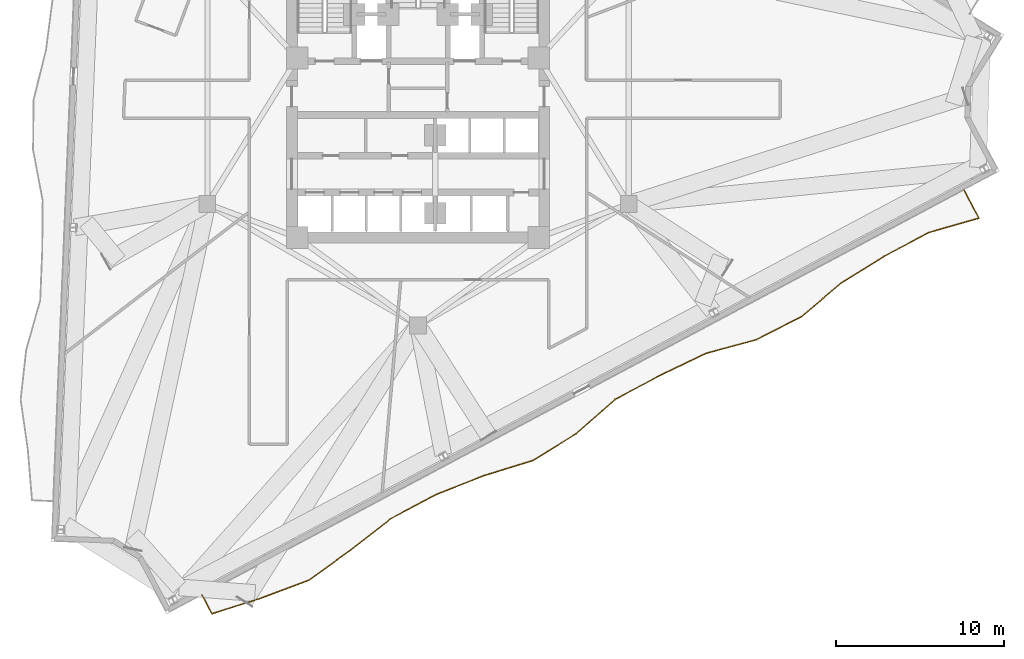
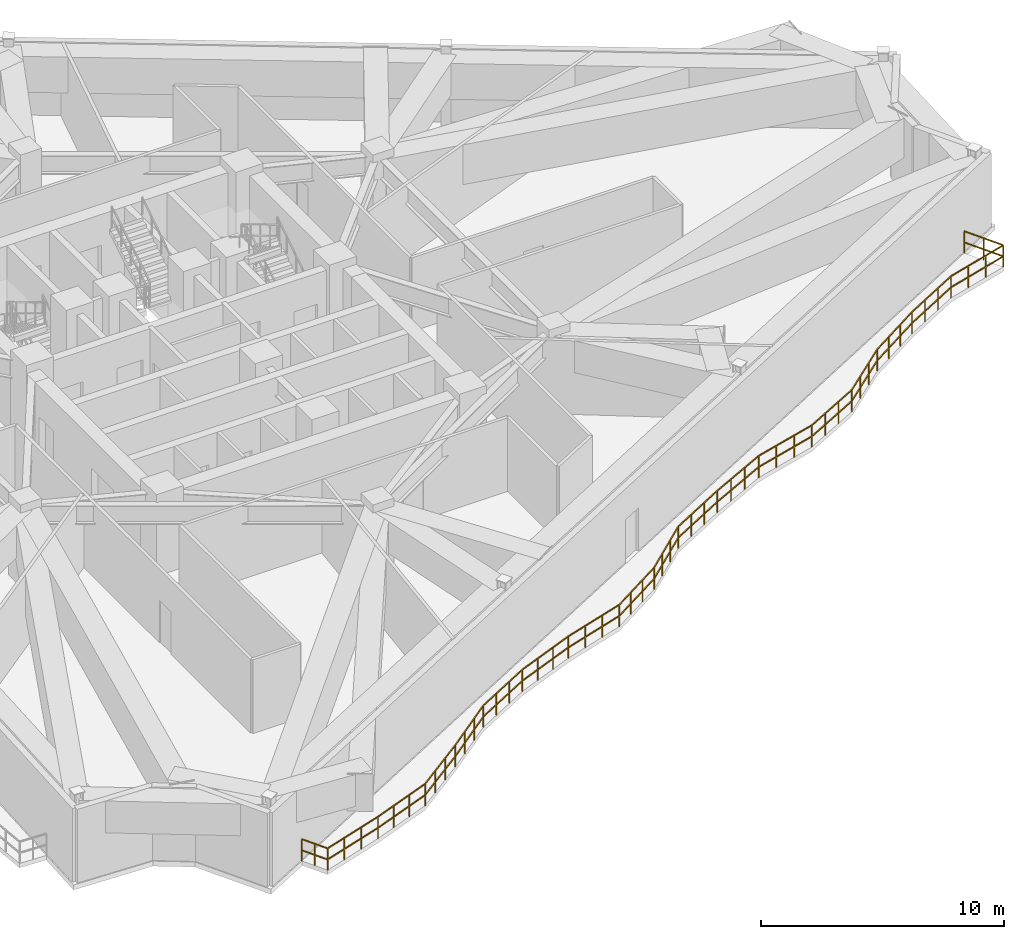
# One storey, part 11 of 14: 1 railing.
"""IFC4 building model written with IfcOpenShell, lengths in metres."""

from ifc_helpers import new_model, si_unit, direction, frame, origin, origin_2d, place, context, subcontext, project, spatial, rectangle, extrude, material, type_object, element, save


model = new_model("IFC4")

# Units and contexts
model_context = context("Model", 3, precision=1e-05, world=origin(), true_north=direction((0.0, 1.0)))
body_context = subcontext(model_context, "Body", "Model", "MODEL_VIEW")
ifc_project = project(units=[si_unit("LENGTHUNIT", "METRE"), si_unit("AREAUNIT", "SQUARE_METRE"), si_unit("VOLUMEUNIT", "CUBIC_METRE"), si_unit("PLANEANGLEUNIT", "RADIAN"), si_unit("MASSUNIT", "GRAM", prefix="KILO")], contexts=[model_context])

# Site, building, storey
site_placement = place(None, origin())
site = spatial("IfcSite", under=ifc_project, at=site_placement, CompositionType="ELEMENT")
building_placement = place(site_placement, origin())
building = spatial("IfcBuilding", under=site, at=building_placement, Name="Apsidion Concourse Tower", CompositionType="ELEMENT")
storey_placement = place(building_placement, frame((0.0, 0.0, 190.10009765625)))
storey = spatial("IfcBuildingStorey", under=building, at=storey_placement, Name="L44", CompositionType="ELEMENT", Elevation=190.10009765625)

# Railing
ifc_material = material(Name="Brushed stainless steel 316", Category="steel")
railing_type = type_object("IfcRailingType", Name="RL-BAL-1120", PredefinedType="BALUSTRADE", material=ifc_material)
railing_placement = place(storey_placement, frame((32.549560546875, -6.426025390625, 0.0)))
element("IfcRailing", 1, at=railing_placement, inside=storey, type_object=railing_type, Name="L44 Face 2 Rippling Balcony Balustrade", PredefinedType="BALUSTRADE", context=body_context, shape_type="SweptSolid", body=[
    extrude(rectangle(XDim=0.048095703125, YDim=0.048095703125, at=origin_2d()), frame((0.0, 0.0, 1.09619140625), z_axis=(0.469487213545, -0.882939271025, 0.0), x_axis=(0.882939271025, 0.469487213545, 0.0)), (0.0, 0.0, 1.0), 1.899658203125),
    extrude(rectangle(XDim=0.048095703125, YDim=0.048095703125, at=origin_2d()), frame((0.0, 0.0, 0.5361328125), z_axis=(0.469487213545, -0.882939271025, 0.0), x_axis=(0.882939271025, 0.469487213545, 0.0)), (0.0, 0.0, 1.0), 1.899658203125),
    extrude(rectangle(XDim=0.048095703125, YDim=0.048095703125, at=origin_2d()), frame((0.891845703125, -1.67724609375, 1.09619140625), z_axis=(-0.961815098371, -0.273700048495, 0.0), x_axis=(0.273700048495, -0.961815098371, 0.0)), (0.0, 0.0, 1.0), 3.09521484375),
    extrude(rectangle(XDim=0.048095703125, YDim=0.048095703125, at=origin_2d()), frame((0.891845703125, -1.67724609375, 0.5361328125), z_axis=(-0.961815098371, -0.273700048495, 0.0), x_axis=(0.273700048495, -0.961815098371, 0.0)), (0.0, 0.0, 1.0), 3.09521484375),
    extrude(rectangle(XDim=0.048095703125, YDim=0.048095703125, at=origin_2d()), frame((-2.085205078125, -2.5244140625, 1.09619140625), z_axis=(-0.88294852993, -0.469469800408, 0.0), x_axis=(0.469469800408, -0.88294852993, 0.0)), (0.0, 0.0, 1.0), 3.026123046875),
    extrude(rectangle(XDim=0.048095703125, YDim=0.048095703125, at=origin_2d()), frame((-2.085205078125, -2.5244140625, 0.5361328125), z_axis=(-0.88294852993, -0.469469800408, 0.0), x_axis=(0.469469800408, -0.88294852993, 0.0)), (0.0, 0.0, 1.0), 3.026123046875),
    extrude(rectangle(XDim=0.048095703125, YDim=0.048095703125, at=origin_2d()), frame((-4.757080078125, -3.945068359375, 1.09619140625), z_axis=(-0.848860794643, -0.528616450101, 0.0), x_axis=(0.528616450101, -0.848860794643, 0.0)), (0.0, 0.0, 1.0), 3.033447265625),
    extrude(rectangle(XDim=0.048095703125, YDim=0.048095703125, at=origin_2d()), frame((-4.757080078125, -3.945068359375, 0.5361328125), z_axis=(-0.848860794643, -0.528616450101, 0.0), x_axis=(0.528616450101, -0.848860794643, 0.0)), (0.0, 0.0, 1.0), 3.033447265625),
    extrude(rectangle(XDim=0.048095703125, YDim=0.048095703125, at=origin_2d()), frame((-7.33203125, -5.548583984375, 1.09619140625), z_axis=(-0.763586637243, -0.645705387483, 0.0), x_axis=(0.645705387483, -0.763586637243, 0.0)), (0.0, 0.0, 1.0), 3.09619140625),
    extrude(rectangle(XDim=0.048095703125, YDim=0.048095703125, at=origin_2d()), frame((-7.33203125, -5.548583984375, 0.5361328125), z_axis=(-0.763586637243, -0.645705387483, 0.0), x_axis=(0.645705387483, -0.763586637243, 0.0)), (0.0, 0.0, 1.0), 3.09619140625),
    extrude(rectangle(XDim=0.048095703125, YDim=0.048095703125, at=origin_2d()), frame((-9.6962890625, -7.5478515625, 1.09619140625), z_axis=(-0.890489154646, -0.455004467514, 0.0), x_axis=(0.455004467514, -0.890489154646, 0.0)), (0.0, 0.0, 1.0), 3.02685546875),
    extrude(rectangle(XDim=0.048095703125, YDim=0.048095703125, at=origin_2d()), frame((-9.6962890625, -7.5478515625, 0.5361328125), z_axis=(-0.890489154646, -0.455004467514, 0.0), x_axis=(0.455004467514, -0.890489154646, 0.0)), (0.0, 0.0, 1.0), 3.02685546875),
    extrude(rectangle(XDim=0.048095703125, YDim=0.048095703125, at=origin_2d()), frame((-12.3916015625, -8.925048828125, 1.09619140625), z_axis=(-0.965394438185, -0.260794130918, 0.0), x_axis=(0.260794130918, -0.965394438185, 0.0)), (0.0, 0.0, 1.0), 3.104248046875),
    extrude(rectangle(XDim=0.048095703125, YDim=0.048095703125, at=origin_2d()), frame((-12.3916015625, -8.925048828125, 0.5361328125), z_axis=(-0.965394438185, -0.260794130918, 0.0), x_axis=(0.260794130918, -0.965394438185, 0.0)), (0.0, 0.0, 1.0), 3.104248046875),
    extrude(rectangle(XDim=0.048095703125, YDim=0.048095703125, at=origin_2d()), frame((-15.388427734375, -9.734619140625, 1.09619140625), z_axis=(-0.900939808812, -0.433944075773, 0.0), x_axis=(0.433944075773, -0.900939808812, 0.0)), (0.0, 0.0, 1.0), 3.028564453125),
    extrude(rectangle(XDim=0.048095703125, YDim=0.048095703125, at=origin_2d()), frame((-15.388427734375, -9.734619140625, 0.5361328125), z_axis=(-0.900939808812, -0.433944075773, 0.0), x_axis=(0.433944075773, -0.900939808812, 0.0)), (0.0, 0.0, 1.0), 3.028564453125),
    extrude(rectangle(XDim=0.048095703125, YDim=0.048095703125, at=origin_2d()), frame((-18.116943359375, -11.048828125, 1.09619140625), z_axis=(-0.882966309785, -0.469436359675, 0.0), x_axis=(0.469436359675, -0.882966309785, 0.0)), (0.0, 0.0, 1.0), 3.0263671875),
    extrude(rectangle(XDim=0.048095703125, YDim=0.048095703125, at=origin_2d()), frame((-18.116943359375, -11.048828125, 0.5361328125), z_axis=(-0.882966309785, -0.469436359675, 0.0), x_axis=(0.469436359675, -0.882966309785, 0.0)), (0.0, 0.0, 1.0), 3.0263671875),
    extrude(rectangle(XDim=0.048095703125, YDim=0.048095703125, at=origin_2d()), frame((-20.7890625, -12.469482421875, 1.09619140625), z_axis=(-0.750243121341, -0.661162051906, 0.0), x_axis=(0.661162051906, -0.750243121341, 0.0)), (0.0, 0.0, 1.0), 3.110595703125),
    extrude(rectangle(XDim=0.048095703125, YDim=0.048095703125, at=origin_2d()), frame((-20.7890625, -12.469482421875, 0.5361328125), z_axis=(-0.750243121341, -0.661162051906, 0.0), x_axis=(0.661162051906, -0.750243121341, 0.0)), (0.0, 0.0, 1.0), 3.110595703125),
    extrude(rectangle(XDim=0.048095703125, YDim=0.048095703125, at=origin_2d()), frame((-23.122802734375, -14.526123046875, 1.09619140625), z_axis=(-0.850656105496, -0.525722541064, 0.0), x_axis=(0.525722541064, -0.850656105496, 0.0)), (0.0, 0.0, 1.0), 3.032470703125),
    extrude(rectangle(XDim=0.048095703125, YDim=0.048095703125, at=origin_2d()), frame((-23.122802734375, -14.526123046875, 0.5361328125), z_axis=(-0.850656105496, -0.525722541064, 0.0), x_axis=(0.525722541064, -0.850656105496, 0.0)), (0.0, 0.0, 1.0), 3.032470703125),
    extrude(rectangle(XDim=0.048095703125, YDim=0.048095703125, at=origin_2d()), frame((-25.702392578125, -16.120361328125, 1.09619140625), z_axis=(-0.955218714871, -0.295900670427, 0.0), x_axis=(0.295900670427, -0.955218714871, 0.0)), (0.0, 0.0, 1.0), 3.080810546875),
    extrude(rectangle(XDim=0.048095703125, YDim=0.048095703125, at=origin_2d()), frame((-25.702392578125, -16.120361328125, 0.5361328125), z_axis=(-0.955218714871, -0.295900670427, 0.0), x_axis=(0.295900670427, -0.955218714871, 0.0)), (0.0, 0.0, 1.0), 3.080810546875),
    extrude(rectangle(XDim=0.048095703125, YDim=0.048095703125, at=origin_2d()), frame((-28.645263671875, -17.031982421875, 1.09619140625), z_axis=(-0.929858047718, -0.367918484306, 0.0), x_axis=(0.367918484306, -0.929858047718, 0.0)), (0.0, 0.0, 1.0), 3.045166015625),
    extrude(rectangle(XDim=0.048095703125, YDim=0.048095703125, at=origin_2d()), frame((-28.645263671875, -17.031982421875, 0.5361328125), z_axis=(-0.929858047718, -0.367918484306, 0.0), x_axis=(0.367918484306, -0.929858047718, 0.0)), (0.0, 0.0, 1.0), 3.045166015625),
    extrude(rectangle(XDim=0.048095703125, YDim=0.048095703125, at=origin_2d()), frame((-31.476806640625, -18.15234375, 1.09619140625), z_axis=(-0.882966309785, -0.469436359675, 0.0), x_axis=(0.469436359675, -0.882966309785, 0.0)), (0.0, 0.0, 1.0), 3.0263671875),
    extrude(rectangle(XDim=0.048095703125, YDim=0.048095703125, at=origin_2d()), frame((-31.476806640625, -18.15234375, 0.5361328125), z_axis=(-0.882966309785, -0.469436359675, 0.0), x_axis=(0.469436359675, -0.882966309785, 0.0)), (0.0, 0.0, 1.0), 3.0263671875),
    extrude(rectangle(XDim=0.048095703125, YDim=0.048095703125, at=origin_2d()), frame((-34.14892578125, -19.572998046875, 1.09619140625), z_axis=(-0.788675687411, -0.614809450226, 0.0), x_axis=(0.614809450226, -0.788675687411, 0.0)), (0.0, 0.0, 1.0), 3.072265625),
    extrude(rectangle(XDim=0.048095703125, YDim=0.048095703125, at=origin_2d()), frame((-34.14892578125, -19.572998046875, 0.5361328125), z_axis=(-0.788675687411, -0.614809450226, 0.0), x_axis=(0.614809450226, -0.788675687411, 0.0)), (0.0, 0.0, 1.0), 3.072265625),
    extrude(rectangle(XDim=0.048095703125, YDim=0.048095703125, at=origin_2d()), frame((-36.572021484375, -21.4619140625, 1.09619140625), z_axis=(-0.81007823859, -0.586321795061, 0.0), x_axis=(0.586321795061, -0.81007823859, 0.0)), (0.0, 0.0, 1.0), 3.05517578125),
    extrude(rectangle(XDim=0.048095703125, YDim=0.048095703125, at=origin_2d()), frame((-36.572021484375, -21.4619140625, 0.5361328125), z_axis=(-0.81007823859, -0.586321795061, 0.0), x_axis=(0.586321795061, -0.81007823859, 0.0)), (0.0, 0.0, 1.0), 3.05517578125),
    extrude(rectangle(XDim=0.048095703125, YDim=0.048095703125, at=origin_2d()), frame((-39.046875, -23.253173828125, 1.09619140625), z_axis=(-0.936276566763, -0.351263705114, 0.0), x_axis=(0.351263705114, -0.936276566763, 0.0)), (0.0, 0.0, 1.0), 3.052001953125),
    extrude(rectangle(XDim=0.048095703125, YDim=0.048095703125, at=origin_2d()), frame((-39.046875, -23.253173828125, 0.5361328125), z_axis=(-0.936276566763, -0.351263705114, 0.0), x_axis=(0.351263705114, -0.936276566763, 0.0)), (0.0, 0.0, 1.0), 3.052001953125),
    extrude(rectangle(XDim=0.048095703125, YDim=0.048095703125, at=origin_2d()), frame((-41.904296875, -24.3251953125, 1.09619140625), z_axis=(-0.953147513577, -0.302505896408, 0.0), x_axis=(0.302505896408, -0.953147513577, 0.0)), (0.0, 0.0, 1.0), 3.076416015625),
    extrude(rectangle(XDim=0.048095703125, YDim=0.048095703125, at=origin_2d()), frame((-41.904296875, -24.3251953125, 0.5361328125), z_axis=(-0.953147513577, -0.302505896408, 0.0), x_axis=(0.302505896408, -0.953147513577, 0.0)), (0.0, 0.0, 1.0), 3.076416015625),
    extrude(rectangle(XDim=0.048095703125, YDim=0.048095703125, at=origin_2d()), frame((-44.836669921875, -25.255859375, 1.09619140625), z_axis=(-0.469574099445, 0.882893065513, 0.0), x_axis=(-0.882893065513, -0.469574099445, 0.0)), (0.0, 0.0, 1.0), 1.25),
    extrude(rectangle(XDim=0.048095703125, YDim=0.048095703125, at=origin_2d()), frame((-44.836669921875, -25.255859375, 0.5361328125), z_axis=(-0.469574099445, 0.882893065513, 0.0), x_axis=(-0.882893065513, -0.469574099445, 0.0)), (0.0, 0.0, 1.0), 1.25),
    extrude(rectangle(XDim=0.0419921875, YDim=0.0419921875, at=origin_2d()), origin(), (0.0, 0.0, 1.0), 1.072021484375),
    extrude(rectangle(XDim=0.0419921875, YDim=0.0419921875, at=origin_2d()), frame((0.44580078125, -0.838623046875, 0.0)), (0.0, 0.0, 1.0), 1.072021484375),
    extrude(rectangle(XDim=0.0419921875, YDim=0.0419921875, at=origin_2d()), frame((0.891845703125, -1.67724609375, 0.0)), (0.0, 0.0, 1.0), 1.072021484375),
    extrude(rectangle(XDim=0.0419921875, YDim=0.0419921875, at=origin_2d()), frame((-0.1005859375, -1.959716796875, 0.0)), (0.0, 0.0, 1.0), 1.072021484375),
    extrude(rectangle(XDim=0.0419921875, YDim=0.0419921875, at=origin_2d()), frame((-1.0927734375, -2.241943359375, 0.0)), (0.0, 0.0, 1.0), 1.072021484375),
    extrude(rectangle(XDim=0.0419921875, YDim=0.0419921875, at=origin_2d()), frame((-2.085205078125, -2.5244140625, 0.0)), (0.0, 0.0, 1.0), 1.072021484375),
    extrude(rectangle(XDim=0.0419921875, YDim=0.0419921875, at=origin_2d()), frame((-2.975830078125, -2.998046875, 0.0)), (0.0, 0.0, 1.0), 1.072021484375),
    extrude(rectangle(XDim=0.0419921875, YDim=0.0419921875, at=origin_2d()), frame((-3.866455078125, -3.471435546875, 0.0)), (0.0, 0.0, 1.0), 1.072021484375),
    extrude(rectangle(XDim=0.0419921875, YDim=0.0419921875, at=origin_2d()), frame((-4.757080078125, -3.945068359375, 0.0)), (0.0, 0.0, 1.0), 1.072021484375),
    extrude(rectangle(XDim=0.0419921875, YDim=0.0419921875, at=origin_2d()), frame((-5.615478515625, -4.4794921875, 0.0)), (0.0, 0.0, 1.0), 1.072021484375),
    extrude(rectangle(XDim=0.0419921875, YDim=0.0419921875, at=origin_2d()), frame((-6.4736328125, -5.01416015625, 0.0)), (0.0, 0.0, 1.0), 1.072021484375),
    extrude(rectangle(XDim=0.0419921875, YDim=0.0419921875, at=origin_2d()), frame((-7.33203125, -5.548583984375, 0.0)), (0.0, 0.0, 1.0), 1.072021484375),
    extrude(rectangle(XDim=0.0419921875, YDim=0.0419921875, at=origin_2d()), frame((-8.1201171875, -6.215087890625, 0.0)), (0.0, 0.0, 1.0), 1.072021484375),
    extrude(rectangle(XDim=0.0419921875, YDim=0.0419921875, at=origin_2d()), frame((-8.908203125, -6.88134765625, 0.0)), (0.0, 0.0, 1.0), 1.072021484375),
    extrude(rectangle(XDim=0.0419921875, YDim=0.0419921875, at=origin_2d()), frame((-9.6962890625, -7.5478515625, 0.0)), (0.0, 0.0, 1.0), 1.072021484375),
    extrude(rectangle(XDim=0.0419921875, YDim=0.0419921875, at=origin_2d()), frame((-10.5947265625, -8.0068359375, 0.0)), (0.0, 0.0, 1.0), 1.072021484375),
    extrude(rectangle(XDim=0.0419921875, YDim=0.0419921875, at=origin_2d()), frame((-11.4931640625, -8.466064453125, 0.0)), (0.0, 0.0, 1.0), 1.072021484375),
    extrude(rectangle(XDim=0.0419921875, YDim=0.0419921875, at=origin_2d()), frame((-12.3916015625, -8.925048828125, 0.0)), (0.0, 0.0, 1.0), 1.072021484375),
    extrude(rectangle(XDim=0.0419921875, YDim=0.0419921875, at=origin_2d()), frame((-13.390625, -9.19482421875, 0.0)), (0.0, 0.0, 1.0), 1.072021484375),
    extrude(rectangle(XDim=0.0419921875, YDim=0.0419921875, at=origin_2d()), frame((-14.389404296875, -9.46484375, 0.0)), (0.0, 0.0, 1.0), 1.072021484375),
    extrude(rectangle(XDim=0.0419921875, YDim=0.0419921875, at=origin_2d()), frame((-15.388427734375, -9.734619140625, 0.0)), (0.0, 0.0, 1.0), 1.072021484375),
    extrude(rectangle(XDim=0.0419921875, YDim=0.0419921875, at=origin_2d()), frame((-16.2978515625, -10.172607421875, 0.0)), (0.0, 0.0, 1.0), 1.072021484375),
    extrude(rectangle(XDim=0.0419921875, YDim=0.0419921875, at=origin_2d()), frame((-17.20751953125, -10.61083984375, 0.0)), (0.0, 0.0, 1.0), 1.072021484375),
    extrude(rectangle(XDim=0.0419921875, YDim=0.0419921875, at=origin_2d()), frame((-18.116943359375, -11.048828125, 0.0)), (0.0, 0.0, 1.0), 1.072021484375),
    extrude(rectangle(XDim=0.0419921875, YDim=0.0419921875, at=origin_2d()), frame((-19.007568359375, -11.5224609375, 0.0)), (0.0, 0.0, 1.0), 1.072021484375),
    extrude(rectangle(XDim=0.0419921875, YDim=0.0419921875, at=origin_2d()), frame((-19.8984375, -11.995849609375, 0.0)), (0.0, 0.0, 1.0), 1.072021484375),
    extrude(rectangle(XDim=0.0419921875, YDim=0.0419921875, at=origin_2d()), frame((-20.7890625, -12.469482421875, 0.0)), (0.0, 0.0, 1.0), 1.072021484375),
    extrude(rectangle(XDim=0.0419921875, YDim=0.0419921875, at=origin_2d()), frame((-21.56689453125, -13.155029296875, 0.0)), (0.0, 0.0, 1.0), 1.072021484375),
    extrude(rectangle(XDim=0.0419921875, YDim=0.0419921875, at=origin_2d()), frame((-22.344970703125, -13.840576171875, 0.0)), (0.0, 0.0, 1.0), 1.072021484375),
    extrude(rectangle(XDim=0.0419921875, YDim=0.0419921875, at=origin_2d()), frame((-23.122802734375, -14.526123046875, 0.0)), (0.0, 0.0, 1.0), 1.072021484375),
    extrude(rectangle(XDim=0.0419921875, YDim=0.0419921875, at=origin_2d()), frame((-23.982666015625, -15.0576171875, 0.0)), (0.0, 0.0, 1.0), 1.072021484375),
    extrude(rectangle(XDim=0.0419921875, YDim=0.0419921875, at=origin_2d()), frame((-24.842529296875, -15.5888671875, 0.0)), (0.0, 0.0, 1.0), 1.072021484375),
    extrude(rectangle(XDim=0.0419921875, YDim=0.0419921875, at=origin_2d()), frame((-25.702392578125, -16.120361328125, 0.0)), (0.0, 0.0, 1.0), 1.072021484375),
    extrude(rectangle(XDim=0.0419921875, YDim=0.0419921875, at=origin_2d()), frame((-26.683349609375, -16.42431640625, 0.0)), (0.0, 0.0, 1.0), 1.072021484375),
    extrude(rectangle(XDim=0.0419921875, YDim=0.0419921875, at=origin_2d()), frame((-27.664306640625, -16.72802734375, 0.0)), (0.0, 0.0, 1.0), 1.072021484375),
    extrude(rectangle(XDim=0.0419921875, YDim=0.0419921875, at=origin_2d()), frame((-28.645263671875, -17.031982421875, 0.0)), (0.0, 0.0, 1.0), 1.072021484375),
    extrude(rectangle(XDim=0.0419921875, YDim=0.0419921875, at=origin_2d()), frame((-29.589111328125, -17.405517578125, 0.0)), (0.0, 0.0, 1.0), 1.072021484375),
    extrude(rectangle(XDim=0.0419921875, YDim=0.0419921875, at=origin_2d()), frame((-30.532958984375, -17.77880859375, 0.0)), (0.0, 0.0, 1.0), 1.072021484375),
    extrude(rectangle(XDim=0.0419921875, YDim=0.0419921875, at=origin_2d()), frame((-31.476806640625, -18.15234375, 0.0)), (0.0, 0.0, 1.0), 1.072021484375),
    extrude(rectangle(XDim=0.0419921875, YDim=0.0419921875, at=origin_2d()), frame((-32.367431640625, -18.6259765625, 0.0)), (0.0, 0.0, 1.0), 1.072021484375),
    extrude(rectangle(XDim=0.0419921875, YDim=0.0419921875, at=origin_2d()), frame((-33.25830078125, -19.099365234375, 0.0)), (0.0, 0.0, 1.0), 1.072021484375),
    extrude(rectangle(XDim=0.0419921875, YDim=0.0419921875, at=origin_2d()), frame((-34.14892578125, -19.572998046875, 0.0)), (0.0, 0.0, 1.0), 1.072021484375),
    extrude(rectangle(XDim=0.0419921875, YDim=0.0419921875, at=origin_2d()), frame((-34.95654296875, -20.20263671875, 0.0)), (0.0, 0.0, 1.0), 1.072021484375),
    extrude(rectangle(XDim=0.0419921875, YDim=0.0419921875, at=origin_2d()), frame((-35.764404296875, -20.832275390625, 0.0)), (0.0, 0.0, 1.0), 1.072021484375),
    extrude(rectangle(XDim=0.0419921875, YDim=0.0419921875, at=origin_2d()), frame((-36.572021484375, -21.4619140625, 0.0)), (0.0, 0.0, 1.0), 1.072021484375),
    extrude(rectangle(XDim=0.0419921875, YDim=0.0419921875, at=origin_2d()), frame((-37.39697265625, -22.05908203125, 0.0)), (0.0, 0.0, 1.0), 1.072021484375),
    extrude(rectangle(XDim=0.0419921875, YDim=0.0419921875, at=origin_2d()), frame((-38.221923828125, -22.656005859375, 0.0)), (0.0, 0.0, 1.0), 1.072021484375),
    extrude(rectangle(XDim=0.0419921875, YDim=0.0419921875, at=origin_2d()), frame((-39.046875, -23.253173828125, 0.0)), (0.0, 0.0, 1.0), 1.072021484375),
    extrude(rectangle(XDim=0.0419921875, YDim=0.0419921875, at=origin_2d()), frame((-39.999267578125, -23.610595703125, 0.0)), (0.0, 0.0, 1.0), 1.072021484375),
    extrude(rectangle(XDim=0.0419921875, YDim=0.0419921875, at=origin_2d()), frame((-40.951904296875, -23.9677734375, 0.0)), (0.0, 0.0, 1.0), 1.072021484375),
    extrude(rectangle(XDim=0.0419921875, YDim=0.0419921875, at=origin_2d()), frame((-41.904296875, -24.3251953125, 0.0)), (0.0, 0.0, 1.0), 1.072021484375),
    extrude(rectangle(XDim=0.0419921875, YDim=0.0419921875, at=origin_2d()), frame((-42.8818359375, -24.635498046875, 0.0)), (0.0, 0.0, 1.0), 1.072021484375),
    extrude(rectangle(XDim=0.0419921875, YDim=0.0419921875, at=origin_2d()), frame((-43.859130859375, -24.945556640625, 0.0)), (0.0, 0.0, 1.0), 1.072021484375),
    extrude(rectangle(XDim=0.0419921875, YDim=0.0419921875, at=origin_2d()), frame((-44.836669921875, -25.255859375, 0.0)), (0.0, 0.0, 1.0), 1.072021484375),
    extrude(rectangle(XDim=0.0419921875, YDim=0.0419921875, at=origin_2d()), frame((-45.130126953125, -24.7041015625, 0.0)), (0.0, 0.0, 1.0), 1.072021484375),
    extrude(rectangle(XDim=0.0419921875, YDim=0.0419921875, at=origin_2d()), frame((-45.423583984375, -24.15234375, 0.0)), (0.0, 0.0, 1.0), 1.072021484375),
])

save(model, "model.ifc")
